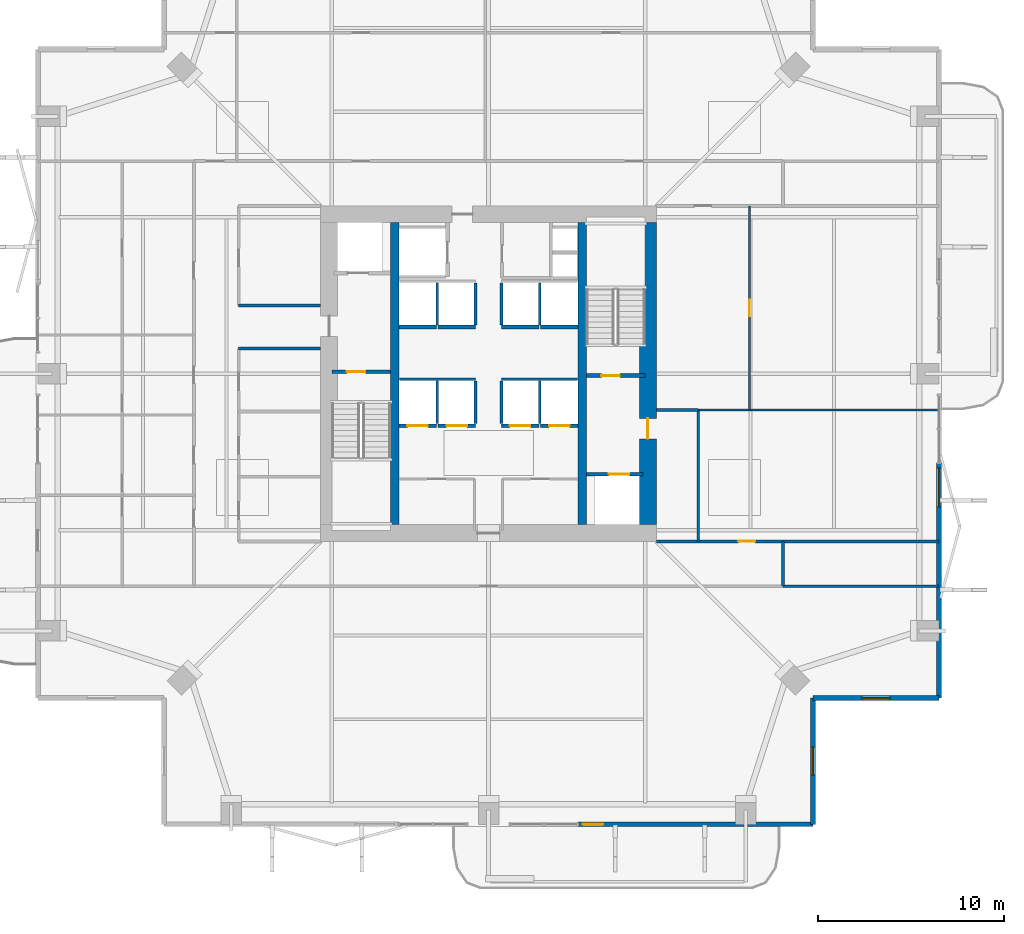
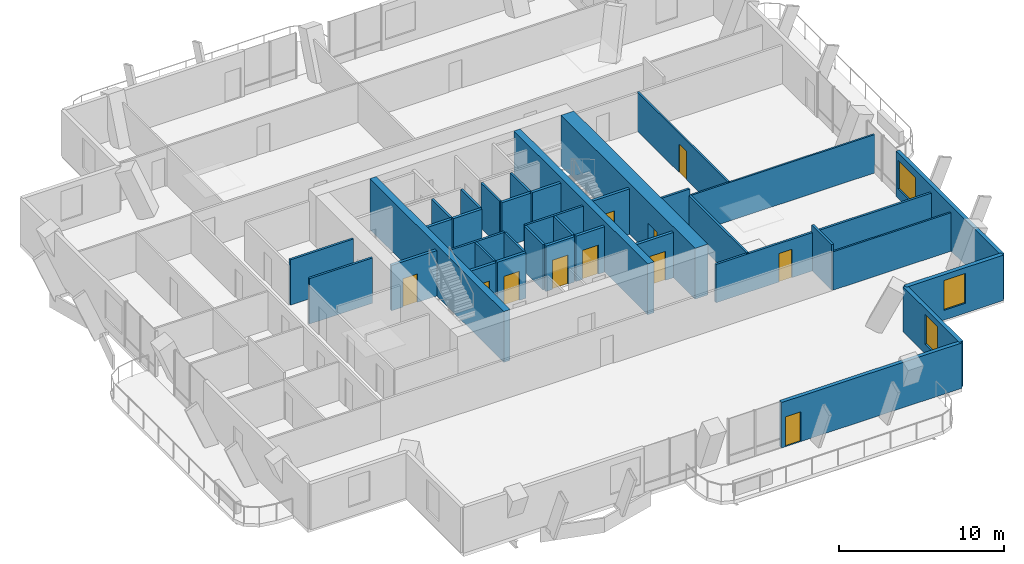
# One storey, part 19 of 24: 37 walls, 11 doors, 3 windows, 14 openings.
"""IFC4 building model written with IfcOpenShell, lengths in metres."""

from ifc_helpers import new_model, si_unit, direction, frame, frame_2d, origin, place, context, subcontext, project, spatial, rectangle, extrude, material, layer, layer_set, type_object, element, fill, save


model = new_model("IFC4")

# Units and contexts
model_context = context("Model", 3, precision=1e-05, world=origin(), true_north=direction((0.0, 1.0)))
body_context = subcontext(model_context, "Body", "Model", "MODEL_VIEW")
ifc_project = project(units=[si_unit("LENGTHUNIT", "METRE"), si_unit("AREAUNIT", "SQUARE_METRE"), si_unit("VOLUMEUNIT", "CUBIC_METRE"), si_unit("PLANEANGLEUNIT", "RADIAN"), si_unit("MASSUNIT", "GRAM", prefix="KILO")], contexts=[model_context])

# Site, building, storey
site_placement = place(None, origin())
site = spatial("IfcSite", under=ifc_project, at=site_placement, CompositionType="ELEMENT")
building_placement = place(site_placement, origin())
building = spatial("IfcBuilding", under=site, at=building_placement, Name="Belovzor Exchange Tower", CompositionType="ELEMENT")
storey_placement = place(building_placement, frame((0.0, 0.0, 190.800048828125)))
storey = spatial("IfcBuildingStorey", under=building, at=storey_placement, Name="L47", CompositionType="ELEMENT", Elevation=190.800048828125)

# Wall
ifc_material_1 = material(Name="Acoustic Plasterboard on Galvanised Studs", Category="gypsum")
ifc_layer_1 = layer(ifc_material_1, 0.1201171875)
ifc_layer_set_1 = layer_set([ifc_layer_1], Name="Acoustic Plasterboard on Galvanised Studs")
wall_type_1 = type_object("IfcWallType", Name="Acoustic Double-Stud Partition Wall 120", PredefinedType="PARTITIONING", material=ifc_layer_set_1)
wall_1_placement = place(storey_placement, frame((40.050048828125, 26.85009765625, 0.0), z_axis=(0.0, 0.0, 1.0), x_axis=(1.0, 0.0, 0.0)))
element("IfcWall", 1, at=wall_1_placement, inside=storey, type_object=wall_type_1, Name="W-P120 Partition Wall W-L47-EDIV-1", PredefinedType="PARTITIONING", context=body_context, shape_type="SweptSolid", body=[
    extrude(rectangle(XDim=12.919921875, YDim=0.1201171875, at=frame_2d((6.4599609375, 0.0))), origin(), (0.0, 0.0, 1.0), 2.8349609375),
])

# Wall, opening, door
wall_2_placement = place(storey_placement, frame((42.800048828125, 26.85009765625, 0.0), z_axis=(0.0, 0.0, 1.0), x_axis=(0.0, 1.0, 0.0)))
wall_2 = element("IfcWall", 2, at=wall_2_placement, inside=storey, type_object=wall_type_1, Name="W-P120 Partition Wall W-L47-EDIV-2", PredefinedType="PARTITIONING", context=body_context, shape_type="SweptSolid", body=[
    extrude(rectangle(XDim=10.949951171875, YDim=0.1201171875, at=frame_2d((5.47509765625, 0.0))), origin(), (0.0, 0.0, 1.0), 2.885009765625),
])
opening_1_placement = place(wall_2_placement, frame((5.02490234375, 0.0, 0.0)))
opening_1 = element("IfcOpeningElement", 3, at=opening_1_placement, cuts=wall_2, Name="Opening D-INT-090", PredefinedType="OPENING", context=body_context, shape_type="SweptSolid", body=[
    extrude(rectangle(XDim=0.89990234375, YDim=2.10009765625, at=frame_2d((0.449951171875, 1.050048828125))), frame((0.0, 0.070068359375, 0.0), z_axis=(0.0, -1.0, 0.0), x_axis=(1.0, 0.0, 0.0)), (0.0, 0.0, 1.0), 0.14013671875),
])
ifc_material_2 = material(Name="Veneered Hardwood Acoustic Leaf", Category="wood")
door_type_1 = type_object("IfcDoorType", Name="Trading Suite Acoustic Single Door 900x2100", OperationType="NOTDEFINED", PredefinedType="DOOR", material=ifc_material_2)
door_1_placement = place(opening_1_placement, origin())
door_1 = element("IfcDoor", 4, at=door_1_placement, inside=storey, type_object=door_type_1, Name="D-INT-090 Trading Suite Acoustic Single Door 900x2100", OperationType="SINGLE_SWING_RIGHT", OverallHeight=2.10009765625, OverallWidth=0.89990234375, PredefinedType="DOOR", context=body_context, shape_type="SweptSolid", body=[
    extrude(rectangle(XDim=0.89990234375, YDim=2.10009765625, at=frame_2d((0.449951171875, 1.050048828125))), frame((0.0, 0.02490234375, 0.0), z_axis=(0.0, -1.0, 0.0), x_axis=(1.0, 0.0, 0.0)), (0.0, 0.0, 1.0), 0.050048828125),
])
fill(opening_1, door_1)

# Walls
wall_3_placement = place(storey_placement, frame((44.60009765625, 17.39990234375, 0.0), z_axis=(0.0, 0.0, 1.0), x_axis=(1.0, 0.0, 0.0)))
element("IfcWall", 5, at=wall_3_placement, inside=storey, type_object=wall_type_1, Name="W-P120 Partition Wall W-L47-END-SE", PredefinedType="PARTITIONING", context=body_context, shape_type="SweptSolid", body=[
    extrude(rectangle(XDim=8.369873046875, YDim=0.1201171875, at=frame_2d((4.18505859375, 0.0))), origin(), (0.0, 0.0, 1.0), 2.8349609375),
])
ifc_material_3 = material(Name="Fire-Rated Gypsum Block and Mineral Wool", Category="gypsum")
ifc_layer_2 = layer(ifc_material_3, 0.14990234375)
ifc_layer_set_2 = layer_set([ifc_layer_2], Name="Fire-Rated Gypsum Block and Mineral Wool")
wall_type_2 = type_object("IfcWallType", Name="Fire-Rated Gypsum Block Corridor Wall 150", PredefinedType="PARTITIONING", material=ifc_layer_set_2)
for number, where, z_axis, x_axis, name in (
    (6, (15.39990234375, 30.14990234375, 0.0), (0.0, 0.0, 1.0), (1.0, 0.0, 0.0), "W-P150 Partition Wall W-L47-WIC-N"),
    (7, (15.39990234375, 32.449951171875, 0.0), (0.0, 0.0, 1.0), (1.0, 0.0, 0.0), "W-P150 Partition Wall W-L47-CFW-N"),
):
    element("IfcWall", number, at=place(storey_placement, frame(where, z_axis=z_axis, x_axis=x_axis)), inside=storey, type_object=wall_type_2, Name=name, PredefinedType="PARTITIONING", context=body_context, shape_type="SweptSolid", body=[
        extrude(rectangle(XDim=4.400146484375, YDim=0.14990234375, at=frame_2d((2.2001953125, 0.0))), origin(), (0.0, 0.0, 1.0), 3.349853515625),
    ])
wall_4_placement = place(storey_placement, frame((37.800048828125, 26.85009765625, 0.0), z_axis=(0.0, 0.0, 1.0), x_axis=(1.0, 0.0, 0.0)))
element("IfcWall", 8, at=wall_4_placement, inside=storey, type_object=wall_type_2, Name="W-P150 Partition Wall W-L47-CFE-N", PredefinedType="PARTITIONING", context=body_context, shape_type="SweptSolid", body=[
    extrude(rectangle(XDim=2.25, YDim=0.14990234375, at=frame_2d((1.125, 0.0))), origin(), (0.0, 0.0, 1.0), 3.349853515625),
])
wall_5_placement = place(storey_placement, frame((40.050048828125, 19.800048828125, 0.0), z_axis=(0.0, 0.0, 1.0), x_axis=(0.0, 1.0, 0.0)))
element("IfcWall", 9, at=wall_5_placement, inside=storey, type_object=wall_type_2, Name="W-P150 Partition Wall W-L47-CFE-E", PredefinedType="PARTITIONING", context=body_context, shape_type="SweptSolid", body=[
    extrude(rectangle(XDim=7.050048828125, YDim=0.14990234375, at=frame_2d((3.52490234375, 0.0))), origin(), (0.0, 0.0, 1.0), 2.885009765625),
])
wall_6_placement = place(storey_placement, frame((44.60009765625, 17.39990234375, 0.0), z_axis=(0.0, 0.0, 1.0), x_axis=(0.0, 1.0, 0.0)))
element("IfcWall", 10, at=wall_6_placement, inside=storey, type_object=wall_type_2, Name="W-P150 Partition Wall W-L47-END-ES", PredefinedType="PARTITIONING", context=body_context, shape_type="SweptSolid", body=[
    extrude(rectangle(XDim=2.400146484375, YDim=0.14990234375, at=frame_2d((1.2001953125, 0.0))), origin(), (0.0, 0.0, 1.0), 3.349853515625),
])

# Wall, opening, door
wall_7_placement = place(storey_placement, frame((37.800048828125, 19.800048828125, 0.0), z_axis=(0.0, 0.0, 1.0), x_axis=(1.0, 0.0, 0.0)))
wall_7 = element("IfcWall", 11, at=wall_7_placement, inside=storey, type_object=wall_type_2, Name="W-P150 Partition Wall W-L47-CS-IN", PredefinedType="PARTITIONING", context=body_context, shape_type="SweptSolid", body=[
    extrude(rectangle(XDim=15.169921875, YDim=0.14990234375, at=frame_2d((7.5849609375, 0.0))), origin(), (0.0, 0.0, 1.0), 2.8349609375),
])
opening_2_placement = place(wall_7_placement, frame((4.39990234375, 0.0, 0.0)))
opening_2 = element("IfcOpeningElement", 12, at=opening_2_placement, cuts=wall_7, Name="Opening D-INT-090", PredefinedType="OPENING", context=body_context, shape_type="SweptSolid", body=[
    extrude(rectangle(XDim=0.89990234375, YDim=2.10009765625, at=frame_2d((0.449951171875, 1.050048828125))), frame((0.0, 0.0849609375, 0.0), z_axis=(0.0, -1.0, 0.0), x_axis=(1.0, 0.0, 0.0)), (0.0, 0.0, 1.0), 0.169921875),
])
door_2_placement = place(opening_2_placement, origin())
door_2 = element("IfcDoor", 13, at=door_2_placement, inside=storey, type_object=door_type_1, Name="D-INT-090 Trading Suite Acoustic Single Door 900x2100", OperationType="SINGLE_SWING_LEFT", OverallHeight=2.10009765625, OverallWidth=0.89990234375, PredefinedType="DOOR", context=body_context, shape_type="SweptSolid", body=[
    extrude(rectangle(XDim=0.89990234375, YDim=2.10009765625, at=frame_2d((0.449951171875, 1.050048828125))), frame((0.0, 0.02490234375, 0.0), z_axis=(0.0, -1.0, 0.0), x_axis=(1.0, 0.0, 0.0)), (0.0, 0.0, 1.0), 0.050048828125),
])
fill(opening_2, door_2)

# Wall, opening, window
ifc_material_4 = material(Name="Precast concrete C40/50", Category="concrete")
ifc_layer_3 = layer(ifc_material_4, 0.280029296875)
ifc_layer_set_3 = layer_set([ifc_layer_3], Name="Precast concrete C40/50")
wall_type_3 = type_object("IfcWallType", Name="Precast Concrete Notched Corner Frame Wall 280", PredefinedType="SOLIDWALL", material=ifc_layer_set_3)
wall_8_placement = place(storey_placement, frame((52.969970703125, 11.39990234375, 0.0), z_axis=(0.0, 0.0, 1.0), x_axis=(-1.0, 0.0, 0.0)))
wall_8 = element("IfcWall", 14, at=wall_8_placement, inside=storey, type_object=wall_type_3, Name="W-CRN280 Precast Concrete Notched Corner Frame Wall 280 L47", PredefinedType="SOLIDWALL", context=body_context, shape_type="SweptSolid", body=[
    extrude(rectangle(XDim=6.77001953125, YDim=0.280029296875, at=frame_2d((3.385009765625, 0.0))), origin(), (0.0, 0.0, 1.0), 3.349853515625),
])
opening_3_placement = place(wall_8_placement, frame((2.635009765625, 0.0, 0.719970703125)))
opening_3 = element("IfcOpeningElement", 15, at=opening_3_placement, cuts=wall_8, Name="Opening WN-CRN150", PredefinedType="OPENING", context=body_context, shape_type="SweptSolid", body=[
    extrude(rectangle(XDim=1.5, YDim=2.199951171875, at=frame_2d((0.75, 1.10009765625))), frame((0.0, 0.14990234375, 0.0), z_axis=(0.0, -1.0, 0.0), x_axis=(1.0, 0.0, 0.0)), (0.0, 0.0, 1.0), 0.300048828125),
])
ifc_material_5 = material(Name="Thermally Broken Aluminium and Triple Glazing", Category="aluminium")
window_type_1 = type_object("IfcWindowType", Name="Streamline Notched Corner Window 1500x2200", PartitioningType="SINGLE_PANEL", PredefinedType="WINDOW", material=ifc_material_5)
window_1_placement = place(opening_3_placement, origin())
window_1 = element("IfcWindow", 16, at=window_1_placement, inside=storey, type_object=window_type_1, Name="WN-CRN150 Streamline Notched Corner Window 1500x2200", OverallHeight=2.199951171875, OverallWidth=1.5, PartitioningType="SINGLE_PANEL", PredefinedType="WINDOW", context=body_context, shape_type="SweptSolid", body=[
    extrude(rectangle(XDim=1.5, YDim=2.199951171875, at=frame_2d((0.75, 1.10009765625))), frame((0.0, 0.030029296875, 0.0), z_axis=(0.0, -1.0, 0.0), x_axis=(1.0, 0.0, 0.0)), (0.0, 0.0, 1.0), 0.06005859375),
])
fill(opening_3, window_1)

wall_9_placement = place(storey_placement, frame((46.199951171875, 11.39990234375, 0.0), z_axis=(0.0, 0.0, 1.0), x_axis=(0.0, -1.0, 0.0)))
wall_9 = element("IfcWall", 17, at=wall_9_placement, inside=storey, type_object=wall_type_3, Name="W-CRN280 Precast Concrete Notched Corner Frame Wall 280 L47", PredefinedType="SOLIDWALL", context=body_context, shape_type="SweptSolid", body=[
    extrude(rectangle(XDim=6.77001953125, YDim=0.280029296875, at=frame_2d((3.385009765625, 0.0))), origin(), (0.0, 0.0, 1.0), 3.349853515625),
])
opening_4_placement = place(wall_9_placement, frame((2.635009765625, 0.0, 0.719970703125)))
opening_4 = element("IfcOpeningElement", 18, at=opening_4_placement, cuts=wall_9, Name="Opening WN-CRN150", PredefinedType="OPENING", context=body_context, shape_type="SweptSolid", body=[
    extrude(rectangle(XDim=1.5, YDim=2.199951171875, at=frame_2d((0.75, 1.10009765625))), frame((0.0, 0.14990234375, 0.0), z_axis=(0.0, -1.0, 0.0), x_axis=(1.0, 0.0, 0.0)), (0.0, 0.0, 1.0), 0.300048828125),
])
window_2_placement = place(opening_4_placement, origin())
window_2 = element("IfcWindow", 19, at=window_2_placement, inside=storey, type_object=window_type_1, Name="WN-CRN150 Streamline Notched Corner Window 1500x2200", OverallHeight=2.199951171875, OverallWidth=1.5, PartitioningType="SINGLE_PANEL", PredefinedType="WINDOW", context=body_context, shape_type="SweptSolid", body=[
    extrude(rectangle(XDim=1.5, YDim=2.199951171875, at=frame_2d((0.75, 1.10009765625))), frame((0.0, 0.030029296875, 0.0), z_axis=(0.0, -1.0, 0.0), x_axis=(1.0, 0.0, 0.0)), (0.0, 0.0, 1.0), 0.06005859375),
])
fill(opening_4, window_2)

# Wall, opening, door
ifc_material_6 = material(Name="Precast concrete C40/50", Category="concrete")
ifc_layer_4 = layer(ifc_material_6, 0.260009765625)
ifc_layer_set_4 = layer_set([ifc_layer_4], Name="Precast concrete C40/50")
wall_type_4 = type_object("IfcWallType", Name="Precast Concrete Perimeter Loggia Frame Wall 260", PredefinedType="SOLIDWALL", material=ifc_layer_set_4)
wall_10_placement = place(storey_placement, frame((46.199951171875, 4.6298828125, 0.0), z_axis=(0.0, 0.0, 1.0), x_axis=(-1.0, 0.0, 0.0)))
wall_10 = element("IfcWall", 20, at=wall_10_placement, inside=storey, type_object=wall_type_4, Name="W-EXT260 Precast Concrete Perimeter Loggia Frame Wall 260 L47", PredefinedType="SOLIDWALL", context=body_context, shape_type="SweptSolid", body=[
    extrude(rectangle(XDim=12.599853515625, YDim=0.260009765625, at=frame_2d((6.2998046875, 0.0))), origin(), (0.0, 0.0, 1.0), 3.349853515625),
])
opening_5_placement = place(wall_10_placement, frame((11.25, 0.0, 0.0)))
opening_5 = element("IfcOpeningElement", 21, at=opening_5_placement, cuts=wall_10, Name="Opening D-BAL110", PredefinedType="OPENING", context=body_context, shape_type="SweptSolid", body=[
    extrude(rectangle(XDim=1.10009765625, YDim=2.199951171875, at=frame_2d((0.550048828125, 1.10009765625))), frame((0.0, 0.139892578125, 0.0), z_axis=(0.0, -1.0, 0.0), x_axis=(1.0, 0.0, 0.0)), (0.0, 0.0, 1.0), 0.280029296875),
])
ifc_material_7 = material(Name="Thermally Broken Anodised Aluminium and Laminated Glass", Category="aluminium")
door_type_2 = type_object("IfcDoorType", Name="Planted Loggia Terrace Glazed Door 1100x2200", OperationType="SINGLE_SWING_LEFT", PredefinedType="DOOR", material=ifc_material_7)
door_3_placement = place(opening_5_placement, origin())
door_3 = element("IfcDoor", 22, at=door_3_placement, inside=storey, type_object=door_type_2, Name="D-BAL110 Balcony Terrace Door L47 S", OperationType="SINGLE_SWING_LEFT", OverallHeight=2.199951171875, OverallWidth=1.10009765625, PredefinedType="DOOR", context=body_context, shape_type="SweptSolid", body=[
    extrude(rectangle(XDim=1.10009765625, YDim=2.199951171875, at=frame_2d((0.550048828125, 1.10009765625))), frame((0.0, 0.02490234375, 0.0), z_axis=(0.0, -1.0, 0.0), x_axis=(1.0, 0.0, 0.0)), (0.0, 0.0, 1.0), 0.050048828125),
])
fill(opening_5, door_3)

# Wall, opening, window
wall_11_placement = place(storey_placement, frame((52.969970703125, 24.0, 0.0), z_axis=(0.0, 0.0, 1.0), x_axis=(0.0, -1.0, 0.0)))
wall_11 = element("IfcWall", 23, at=wall_11_placement, inside=storey, type_object=wall_type_4, Name="W-EXT260 Precast Concrete Perimeter Loggia Frame Wall 260 L47", PredefinedType="SOLIDWALL", context=body_context, shape_type="SweptSolid", body=[
    extrude(rectangle(XDim=12.60009765625, YDim=0.260009765625, at=frame_2d((6.300048828125, 0.0))), origin(), (0.0, 0.0, 1.0), 3.349853515625),
])
opening_6_placement = place(wall_11_placement, frame((0.25, 0.0, 0.719970703125)))
opening_6 = element("IfcOpeningElement", 24, at=opening_6_placement, cuts=wall_11, Name="Opening WN-LOG210", PredefinedType="OPENING", context=body_context, shape_type="SweptSolid", body=[
    extrude(rectangle(XDim=2.10009765625, YDim=2.10009765625, at=frame_2d((1.050048828125, 1.050048828125))), frame((0.0, 0.139892578125, 0.0), z_axis=(0.0, -1.0, 0.0), x_axis=(1.0, 0.0, 0.0)), (0.0, 0.0, 1.0), 0.280029296875),
])
ifc_material_8 = material(Name="Thermally Broken Aluminium and Triple Glazing", Category="aluminium")
window_type_2 = type_object("IfcWindowType", Name="Triple-Glazed Loggia Ribbon Window 2100x2100", PartitioningType="SINGLE_PANEL", PredefinedType="WINDOW", material=ifc_material_8)
window_3_placement = place(opening_6_placement, origin())
window_3 = element("IfcWindow", 25, at=window_3_placement, inside=storey, type_object=window_type_2, Name="WN-LOG210 Triple-Glazed Loggia Ribbon Window 2100x2100", OverallHeight=2.10009765625, OverallWidth=2.10009765625, PartitioningType="SINGLE_PANEL", PredefinedType="WINDOW", context=body_context, shape_type="SweptSolid", body=[
    extrude(rectangle(XDim=2.10009765625, YDim=2.10009765625, at=frame_2d((1.050048828125, 1.050048828125))), frame((0.0, 0.030029296875, 0.0), z_axis=(0.0, -1.0, 0.0), x_axis=(1.0, 0.0, 0.0)), (0.0, 0.0, 1.0), 0.06005859375),
])
fill(opening_6, window_3)

# Walls
ifc_material_9 = material(Name="Concrete C50/60", Category="concrete")
ifc_layer_5 = layer(ifc_material_9, 0.449951171875)
ifc_layer_set_5 = layer_set([ifc_layer_5], Name="Concrete C50/60")
wall_type_5 = type_object("IfcWallType", Name="Reinforced Concrete Core Internal Web Wall 450", PredefinedType="SHEAR", material=ifc_layer_set_5)
for number, where, z_axis, x_axis, name in (
    (26, (23.77490234375, 20.699951171875, 0.0), (0.0, 0.0, 1.0), (0.0, 1.0, 0.0), "CW-W045 Core Internal Web Wall L47 WL"),
    (27, (33.824951171875, 20.699951171875, 0.0), (0.0, 0.0, 1.0), (0.0, 1.0, 0.0), "CW-W045 Core Internal Web Wall L47 ER"),
):
    element("IfcWall", number, at=place(storey_placement, frame(where, z_axis=z_axis, x_axis=x_axis)), inside=storey, type_object=wall_type_5, Name=name, PredefinedType="SHEAR", context=body_context, shape_type="SweptSolid", body=[
        extrude(rectangle(XDim=16.199951171875, YDim=0.449951171875, at=frame_2d((8.10009765625, 0.0))), origin(), (0.0, 0.0, 1.0), 3.75),
    ])
ifc_material_10 = material(Name="Concrete C50/60", Category="concrete")
ifc_layer_6 = layer(ifc_material_10, 0.14990234375)
ifc_layer_set_6 = layer_set([ifc_layer_6], Name="Concrete C50/60")
wall_type_6 = type_object("IfcWallType", Name="Reinforced Concrete Core Riser Shear Wall 150", PredefinedType="SHEAR", material=ifc_layer_set_6)
for number, where, z_axis, x_axis, name in (
    (28, (24.02001953125, 28.5, 0.0), (0.0, 0.0, 1.0), (1.0, 0.0, 0.0), "W-C150S Core Shaft Wall W-SHB-L47-PLM-NW"),
    (29, (29.5, 28.5, 0.0), (0.0, 0.0, 1.0), (1.0, 0.0, 0.0), "W-C150S Core Shaft Wall W-SHB-L47-PLM-NE"),
):
    element("IfcWall", number, at=place(storey_placement, frame(where, z_axis=z_axis, x_axis=x_axis)), inside=storey, type_object=wall_type_6, Name=name, PredefinedType="SHEAR", context=body_context, shape_type="SweptSolid", body=[
        extrude(rectangle(XDim=4.080078125, YDim=0.14990234375, at=frame_2d((2.0400390625, 0.0))), origin(), (0.0, 0.0, 1.0), 3.349853515625),
    ])
for number, where, z_axis, x_axis, name in (
    (30, (26.050048828125, 26.1201171875, 0.0), (0.0, 0.0, 1.0), (0.0, 1.0, 0.0), "W-C150S Core Shaft Wall W-SHD-L47-PLM-1"),
    (31, (28.10009765625, 26.1201171875, 0.0), (0.0, 0.0, 1.0), (0.0, 1.0, 0.0), "W-C150S Core Shaft Wall W-SHD-L47-PLM-2"),
    (32, (29.5, 26.1201171875, 0.0), (0.0, 0.0, 1.0), (0.0, 1.0, 0.0), "W-C150S Core Shaft Wall W-SHD-L47-PLM-3"),
    (33, (31.550048828125, 26.1201171875, 0.0), (0.0, 0.0, 1.0), (0.0, 1.0, 0.0), "W-C150S Core Shaft Wall W-SHD-L47-PLM-4"),
):
    element("IfcWall", number, at=place(storey_placement, frame(where, z_axis=z_axis, x_axis=x_axis)), inside=storey, type_object=wall_type_6, Name=name, PredefinedType="SHEAR", context=body_context, shape_type="SweptSolid", body=[
        extrude(rectangle(XDim=2.27978515625, YDim=0.14990234375, at=frame_2d((1.139892578125, 0.0))), origin(), (0.0, 0.0, 1.0), 3.349853515625),
    ])
for number, where, z_axis, x_axis, name in (
    (34, (26.050048828125, 31.419921875, 0.0), (0.0, 0.0, 1.0), (0.0, 1.0, 0.0), "W-C150S Core Shaft Wall W-SHD-L47-PLH-1"),
    (35, (28.10009765625, 31.419921875, 0.0), (0.0, 0.0, 1.0), (0.0, 1.0, 0.0), "W-C150S Core Shaft Wall W-SHD-L47-PLH-2"),
    (36, (29.5, 31.419921875, 0.0), (0.0, 0.0, 1.0), (0.0, 1.0, 0.0), "W-C150S Core Shaft Wall W-SHD-L47-PLH-3"),
    (37, (31.550048828125, 31.419921875, 0.0), (0.0, 0.0, 1.0), (0.0, 1.0, 0.0), "W-C150S Core Shaft Wall W-SHD-L47-PLH-4"),
):
    element("IfcWall", number, at=place(storey_placement, frame(where, z_axis=z_axis, x_axis=x_axis)), inside=storey, type_object=wall_type_6, Name=name, PredefinedType="SHEAR", context=body_context, shape_type="SweptSolid", body=[
        extrude(rectangle(XDim=2.239990234375, YDim=0.14990234375, at=frame_2d((1.1201171875, 0.0))), origin(), (0.0, 0.0, 1.0), 3.349853515625),
    ])

# Wall, opening, door
ifc_material_11 = material(Name="Concrete C50/60", Category="concrete")
ifc_layer_7 = layer(ifc_material_11, 0.199951171875)
ifc_layer_set_7 = layer_set([ifc_layer_7], Name="Concrete C50/60")
wall_type_7 = type_object("IfcWallType", Name="Reinforced Concrete Core Shaft Shear Wall 200", PredefinedType="SHEAR", material=ifc_layer_set_7)
wall_12_placement = place(storey_placement, frame((20.39990234375, 28.89990234375, 0.0), z_axis=(0.0, 0.0, 1.0), x_axis=(1.0, 0.0, 0.0)))
wall_12 = element("IfcWall", 38, at=wall_12_placement, inside=storey, type_object=wall_type_7, Name="W-C200S Core Shaft Wall W-CORE-L47-FFLW1", PredefinedType="SHEAR", context=body_context, shape_type="SweptSolid", body=[
    extrude(rectangle(XDim=3.150146484375, YDim=0.199951171875, at=frame_2d((1.5751953125, 0.0))), origin(), (0.0, 0.0, 1.0), 3.349853515625),
])
opening_7_placement = place(wall_12_placement, frame((0.800048828125, 0.0, 0.0)))
opening_7 = element("IfcOpeningElement", 39, at=opening_7_placement, cuts=wall_12, Name="Opening D-FD90-100", PredefinedType="OPENING", context=body_context, shape_type="SweptSolid", body=[
    extrude(rectangle(XDim=1.0, YDim=2.10009765625, at=frame_2d((0.5, 1.050048828125))), frame((0.0, 0.10986328125, 0.0), z_axis=(0.0, -1.0, 0.0), x_axis=(1.0, 0.0, 0.0)), (0.0, 0.0, 1.0), 0.219970703125),
])
ifc_material_12 = material(Name="Fire-Rated Galvanised Steel Leaf", Category="steel")
door_type_3 = type_object("IfcDoorType", Name="Protected Stairwell Single Fire Door 1000x2100", OperationType="NOTDEFINED", PredefinedType="DOOR", material=ifc_material_12)
door_4_placement = place(opening_7_placement, origin())
door_4 = element("IfcDoor", 40, at=door_4_placement, inside=storey, type_object=door_type_3, Name="D-FD90-100 Protected Stairwell Single Fire Door 1000x2100", OperationType="SINGLE_SWING_RIGHT", OverallHeight=2.10009765625, OverallWidth=1.0, PredefinedType="DOOR", context=body_context, shape_type="SweptSolid", body=[
    extrude(rectangle(XDim=1.0, YDim=2.10009765625, at=frame_2d((0.5, 1.050048828125))), frame((0.0, 0.02490234375, 0.0), z_axis=(0.0, -1.0, 0.0), x_axis=(1.0, 0.0, 0.0)), (0.0, 0.0, 1.0), 0.050048828125),
])
fill(opening_7, door_4)

wall_13_placement = place(storey_placement, frame((34.050048828125, 28.699951171875, 0.0), z_axis=(0.0, 0.0, 1.0), x_axis=(1.0, 0.0, 0.0)))
wall_13 = element("IfcWall", 41, at=wall_13_placement, inside=storey, type_object=wall_type_7, Name="W-C200S Core Shaft Wall W-CORE-L47-FFLE2", PredefinedType="SHEAR", context=body_context, shape_type="SweptSolid", body=[
    extrude(rectangle(XDim=3.14990234375, YDim=0.199951171875, at=frame_2d((1.574951171875, 0.0))), origin(), (0.0, 0.0, 1.0), 3.349853515625),
])
opening_8_placement = place(wall_13_placement, frame((0.800048828125, 0.0, 0.0)))
opening_8 = element("IfcOpeningElement", 42, at=opening_8_placement, cuts=wall_13, Name="Opening D-FD90-100", PredefinedType="OPENING", context=body_context, shape_type="SweptSolid", body=[
    extrude(rectangle(XDim=1.0, YDim=2.10009765625, at=frame_2d((0.5, 1.050048828125))), frame((0.0, 0.10986328125, 0.0), z_axis=(0.0, -1.0, 0.0), x_axis=(1.0, 0.0, 0.0)), (0.0, 0.0, 1.0), 0.219970703125),
])
door_5_placement = place(opening_8_placement, origin())
door_5 = element("IfcDoor", 43, at=door_5_placement, inside=storey, type_object=door_type_3, Name="D-FD90-100 Protected Stairwell Single Fire Door 1000x2100", OperationType="SINGLE_SWING_LEFT", OverallHeight=2.10009765625, OverallWidth=1.0, PredefinedType="DOOR", context=body_context, shape_type="SweptSolid", body=[
    extrude(rectangle(XDim=1.0, YDim=2.10009765625, at=frame_2d((0.5, 1.050048828125))), frame((0.0, 0.02490234375, 0.0), z_axis=(0.0, -1.0, 0.0), x_axis=(1.0, 0.0, 0.0)), (0.0, 0.0, 1.0), 0.050048828125),
])
fill(opening_8, door_5)

wall_14_placement = place(storey_placement, frame((34.050048828125, 23.39990234375, 0.0), z_axis=(0.0, 0.0, 1.0), x_axis=(1.0, 0.0, 0.0)))
wall_14 = element("IfcWall", 44, at=wall_14_placement, inside=storey, type_object=wall_type_7, Name="W-C200S Core Shaft Wall W-SH-L47-FFL-02", PredefinedType="SHEAR", context=body_context, shape_type="SweptSolid", body=[
    extrude(rectangle(XDim=3.050048828125, YDim=0.199951171875, at=frame_2d((1.52490234375, 0.0))), origin(), (0.0, 0.0, 1.0), 3.349853515625),
])
opening_9_placement = place(wall_14_placement, frame((1.199951171875, 0.0, 0.0)))
opening_9 = element("IfcOpeningElement", 45, at=opening_9_placement, cuts=wall_14, Name="Opening LD-110", PredefinedType="OPENING", context=body_context, shape_type="SweptSolid", body=[
    extrude(rectangle(XDim=1.10009765625, YDim=2.14990234375, at=frame_2d((0.550048828125, 1.074951171875))), frame((0.0, 0.10986328125, 0.0), z_axis=(0.0, -1.0, 0.0), x_axis=(1.0, 0.0, 0.0)), (0.0, 0.0, 1.0), 0.219970703125),
])
ifc_material_13 = material(Name="Stainless Steel Grade 304", Category="steel")
door_type_4 = type_object("IfcDoorType", Name="Automated Stainless Steel Lift Landing Door 1100x2150", OperationType="SLIDING_TO_RIGHT", PredefinedType="DOOR", material=ifc_material_13)
door_6_placement = place(opening_9_placement, origin())
door_6 = element("IfcDoor", 46, at=door_6_placement, inside=storey, type_object=door_type_4, Name="LD-110 Automated Stainless Steel Lift Landing Door 1100x2150", OperationType="SLIDING_TO_RIGHT", OverallHeight=2.14990234375, OverallWidth=1.10009765625, PredefinedType="DOOR", context=body_context, shape_type="SweptSolid", body=[
    extrude(rectangle(XDim=1.10009765625, YDim=2.14990234375, at=frame_2d((0.550048828125, 1.074951171875))), frame((0.0, 0.02490234375, 0.0), z_axis=(0.0, -1.0, 0.0), x_axis=(1.0, 0.0, 0.0)), (0.0, 0.0, 1.0), 0.050048828125),
])
fill(opening_9, door_6)

wall_15_placement = place(storey_placement, frame((24.0, 26.0, 0.0), z_axis=(0.0, 0.0, 1.0), x_axis=(1.0, 0.0, 0.0)))
wall_15 = element("IfcWall", 47, at=wall_15_placement, inside=storey, type_object=wall_type_7, Name="W-C200S Core Shaft Wall W-SH-L47-PL-M1", PredefinedType="SHEAR", context=body_context, shape_type="SweptSolid", body=[
    extrude(rectangle(XDim=2.0, YDim=0.199951171875, at=frame_2d((1.0, 0.0))), origin(), (0.0, 0.0, 1.0), 3.349853515625),
])
opening_10_placement = place(wall_15_placement, frame((0.449951171875, 0.0, 0.0)))
opening_10 = element("IfcOpeningElement", 48, at=opening_10_placement, cuts=wall_15, Name="Opening LD-110", PredefinedType="OPENING", context=body_context, shape_type="SweptSolid", body=[
    extrude(rectangle(XDim=1.10009765625, YDim=2.14990234375, at=frame_2d((0.550048828125, 1.074951171875))), frame((0.0, 0.10986328125, 0.0), z_axis=(0.0, -1.0, 0.0), x_axis=(1.0, 0.0, 0.0)), (0.0, 0.0, 1.0), 0.219970703125),
])
door_7_placement = place(opening_10_placement, origin())
door_7 = element("IfcDoor", 49, at=door_7_placement, inside=storey, type_object=door_type_4, Name="LD-110 Automated Stainless Steel Lift Landing Door 1100x2150", OperationType="SLIDING_TO_RIGHT", OverallHeight=2.14990234375, OverallWidth=1.10009765625, PredefinedType="DOOR", context=body_context, shape_type="SweptSolid", body=[
    extrude(rectangle(XDim=1.10009765625, YDim=2.14990234375, at=frame_2d((0.550048828125, 1.074951171875))), frame((0.0, 0.02490234375, 0.0), z_axis=(0.0, -1.0, 0.0), x_axis=(1.0, 0.0, 0.0)), (0.0, 0.0, 1.0), 0.050048828125),
])
fill(opening_10, door_7)

wall_16_placement = place(storey_placement, frame((26.10009765625, 26.0, 0.0), z_axis=(0.0, 0.0, 1.0), x_axis=(1.0, 0.0, 0.0)))
wall_16 = element("IfcWall", 50, at=wall_16_placement, inside=storey, type_object=wall_type_7, Name="W-C200S Core Shaft Wall W-SH-L47-PL-M2", PredefinedType="SHEAR", context=body_context, shape_type="SweptSolid", body=[
    extrude(rectangle(XDim=2.0, YDim=0.199951171875, at=frame_2d((1.0, 0.0))), origin(), (0.0, 0.0, 1.0), 3.349853515625),
])
opening_11_placement = place(wall_16_placement, frame((0.449951171875, 0.0, 0.0)))
opening_11 = element("IfcOpeningElement", 51, at=opening_11_placement, cuts=wall_16, Name="Opening LD-110", PredefinedType="OPENING", context=body_context, shape_type="SweptSolid", body=[
    extrude(rectangle(XDim=1.10009765625, YDim=2.14990234375, at=frame_2d((0.550048828125, 1.074951171875))), frame((0.0, 0.10986328125, 0.0), z_axis=(0.0, -1.0, 0.0), x_axis=(1.0, 0.0, 0.0)), (0.0, 0.0, 1.0), 0.219970703125),
])
door_8_placement = place(opening_11_placement, origin())
door_8 = element("IfcDoor", 52, at=door_8_placement, inside=storey, type_object=door_type_4, Name="LD-110 Automated Stainless Steel Lift Landing Door 1100x2150", OperationType="SLIDING_TO_RIGHT", OverallHeight=2.14990234375, OverallWidth=1.10009765625, PredefinedType="DOOR", context=body_context, shape_type="SweptSolid", body=[
    extrude(rectangle(XDim=1.10009765625, YDim=2.14990234375, at=frame_2d((0.550048828125, 1.074951171875))), frame((0.0, 0.02490234375, 0.0), z_axis=(0.0, -1.0, 0.0), x_axis=(1.0, 0.0, 0.0)), (0.0, 0.0, 1.0), 0.050048828125),
])
fill(opening_11, door_8)

wall_17_placement = place(storey_placement, frame((29.5, 26.0, 0.0), z_axis=(0.0, 0.0, 1.0), x_axis=(1.0, 0.0, 0.0)))
wall_17 = element("IfcWall", 53, at=wall_17_placement, inside=storey, type_object=wall_type_7, Name="W-C200S Core Shaft Wall W-SH-L47-PL-M3", PredefinedType="SHEAR", context=body_context, shape_type="SweptSolid", body=[
    extrude(rectangle(XDim=2.0, YDim=0.199951171875, at=frame_2d((1.0, 0.0))), origin(), (0.0, 0.0, 1.0), 3.349853515625),
])
opening_12_placement = place(wall_17_placement, frame((0.449951171875, 0.0, 0.0)))
opening_12 = element("IfcOpeningElement", 54, at=opening_12_placement, cuts=wall_17, Name="Opening LD-110", PredefinedType="OPENING", context=body_context, shape_type="SweptSolid", body=[
    extrude(rectangle(XDim=1.10009765625, YDim=2.14990234375, at=frame_2d((0.550048828125, 1.074951171875))), frame((0.0, 0.10986328125, 0.0), z_axis=(0.0, -1.0, 0.0), x_axis=(1.0, 0.0, 0.0)), (0.0, 0.0, 1.0), 0.219970703125),
])
door_9_placement = place(opening_12_placement, origin())
door_9 = element("IfcDoor", 55, at=door_9_placement, inside=storey, type_object=door_type_4, Name="LD-110 Automated Stainless Steel Lift Landing Door 1100x2150", OperationType="SLIDING_TO_RIGHT", OverallHeight=2.14990234375, OverallWidth=1.10009765625, PredefinedType="DOOR", context=body_context, shape_type="SweptSolid", body=[
    extrude(rectangle(XDim=1.10009765625, YDim=2.14990234375, at=frame_2d((0.550048828125, 1.074951171875))), frame((0.0, 0.02490234375, 0.0), z_axis=(0.0, -1.0, 0.0), x_axis=(1.0, 0.0, 0.0)), (0.0, 0.0, 1.0), 0.050048828125),
])
fill(opening_12, door_9)

wall_18_placement = place(storey_placement, frame((31.60009765625, 26.0, 0.0), z_axis=(0.0, 0.0, 1.0), x_axis=(1.0, 0.0, 0.0)))
wall_18 = element("IfcWall", 56, at=wall_18_placement, inside=storey, type_object=wall_type_7, Name="W-C200S Core Shaft Wall W-SH-L47-PL-M4", PredefinedType="SHEAR", context=body_context, shape_type="SweptSolid", body=[
    extrude(rectangle(XDim=2.0, YDim=0.199951171875, at=frame_2d((1.0, 0.0))), origin(), (0.0, 0.0, 1.0), 3.349853515625),
])
opening_13_placement = place(wall_18_placement, frame((0.449951171875, 0.0, 0.0)))
opening_13 = element("IfcOpeningElement", 57, at=opening_13_placement, cuts=wall_18, Name="Opening LD-110", PredefinedType="OPENING", context=body_context, shape_type="SweptSolid", body=[
    extrude(rectangle(XDim=1.10009765625, YDim=2.14990234375, at=frame_2d((0.550048828125, 1.074951171875))), frame((0.0, 0.10986328125, 0.0), z_axis=(0.0, -1.0, 0.0), x_axis=(1.0, 0.0, 0.0)), (0.0, 0.0, 1.0), 0.219970703125),
])
door_10_placement = place(opening_13_placement, origin())
door_10 = element("IfcDoor", 58, at=door_10_placement, inside=storey, type_object=door_type_4, Name="LD-110 Automated Stainless Steel Lift Landing Door 1100x2150", OperationType="SLIDING_TO_RIGHT", OverallHeight=2.14990234375, OverallWidth=1.10009765625, PredefinedType="DOOR", context=body_context, shape_type="SweptSolid", body=[
    extrude(rectangle(XDim=1.10009765625, YDim=2.14990234375, at=frame_2d((0.550048828125, 1.074951171875))), frame((0.0, 0.02490234375, 0.0), z_axis=(0.0, -1.0, 0.0), x_axis=(1.0, 0.0, 0.0)), (0.0, 0.0, 1.0), 0.050048828125),
])
fill(opening_13, door_10)

# Walls
for number, where, z_axis, x_axis, name in (
    (59, (24.0, 31.300048828125, 0.0), (0.0, 0.0, 1.0), (1.0, 0.0, 0.0), "W-C200S Core Shaft Wall W-SH-L47-PL-H1"),
    (60, (26.10009765625, 31.300048828125, 0.0), (0.0, 0.0, 1.0), (1.0, 0.0, 0.0), "W-C200S Core Shaft Wall W-SH-L47-PL-H2"),
    (61, (29.5, 31.300048828125, 0.0), (0.0, 0.0, 1.0), (1.0, 0.0, 0.0), "W-C200S Core Shaft Wall W-SH-L47-PL-H3"),
    (62, (31.60009765625, 31.300048828125, 0.0), (0.0, 0.0, 1.0), (1.0, 0.0, 0.0), "W-C200S Core Shaft Wall W-SH-L47-PL-H4"),
):
    element("IfcWall", number, at=place(storey_placement, frame(where, z_axis=z_axis, x_axis=x_axis)), inside=storey, type_object=wall_type_7, Name=name, PredefinedType="SHEAR", context=body_context, shape_type="SweptSolid", body=[
        extrude(rectangle(XDim=2.0, YDim=0.199951171875, at=frame_2d((1.0, 0.0))), origin(), (0.0, 0.0, 1.0), 3.349853515625),
    ])

# Wall, opening, door
ifc_material_14 = material(Name="Concrete C60/75", Category="concrete")
ifc_layer_8 = layer(ifc_material_14, 0.89990234375)
ifc_layer_set_8 = layer_set([ifc_layer_8], Name="Concrete C60/75")
wall_type_8 = type_object("IfcWallType", Name="Reinforced Concrete Core Shear Wall 900", PredefinedType="SHEAR", material=ifc_layer_set_8)
wall_19_placement = place(storey_placement, frame((37.35009765625, 20.699951171875, 0.0), z_axis=(0.0, 0.0, 1.0), x_axis=(0.0, 1.0, 0.0)))
wall_19 = element("IfcWall", 63, at=wall_19_placement, inside=storey, type_object=wall_type_8, Name="CW-S090 Core Shear Wall L47 E", PredefinedType="SHEAR", context=body_context, shape_type="SweptSolid", body=[
    extrude(rectangle(XDim=16.199951171875, YDim=0.89990234375, at=frame_2d((8.10009765625, 0.0))), origin(), (0.0, 0.0, 1.0), 3.75),
])
opening_14_placement = place(wall_19_placement, frame((4.60009765625, 0.0, 0.0)))
opening_14 = element("IfcOpeningElement", 64, at=opening_14_placement, cuts=wall_19, Name="Opening D-FD90-110", PredefinedType="OPENING", context=body_context, shape_type="SweptSolid", body=[
    extrude(rectangle(XDim=1.10009765625, YDim=2.14990234375, at=frame_2d((0.550048828125, 1.074951171875))), frame((0.0, 0.4599609375, 0.0), z_axis=(0.0, -1.0, 0.0), x_axis=(1.0, 0.0, 0.0)), (0.0, 0.0, 1.0), 0.919921875),
])
ifc_material_15 = material(Name="Fire-Rated Galvanised Steel Leaf", Category="steel")
door_type_5 = type_object("IfcDoorType", Name="Protected Escape Vestibule Fire Door 1100x2150", OperationType="NOTDEFINED", PredefinedType="DOOR", material=ifc_material_15)
door_11_placement = place(opening_14_placement, origin())
door_11 = element("IfcDoor", 65, at=door_11_placement, inside=storey, type_object=door_type_5, Name="D-FD90-110 Protected Escape Vestibule Fire Door 1100x2150", OperationType="SINGLE_SWING_RIGHT", OverallHeight=2.14990234375, OverallWidth=1.10009765625, PredefinedType="DOOR", context=body_context, shape_type="SweptSolid", body=[
    extrude(rectangle(XDim=1.10009765625, YDim=2.14990234375, at=frame_2d((0.550048828125, 1.074951171875))), frame((0.0, 0.02490234375, 0.0), z_axis=(0.0, -1.0, 0.0), x_axis=(1.0, 0.0, 0.0)), (0.0, 0.0, 1.0), 0.050048828125),
])
fill(opening_14, door_11)

save(model, "model.ifc")
